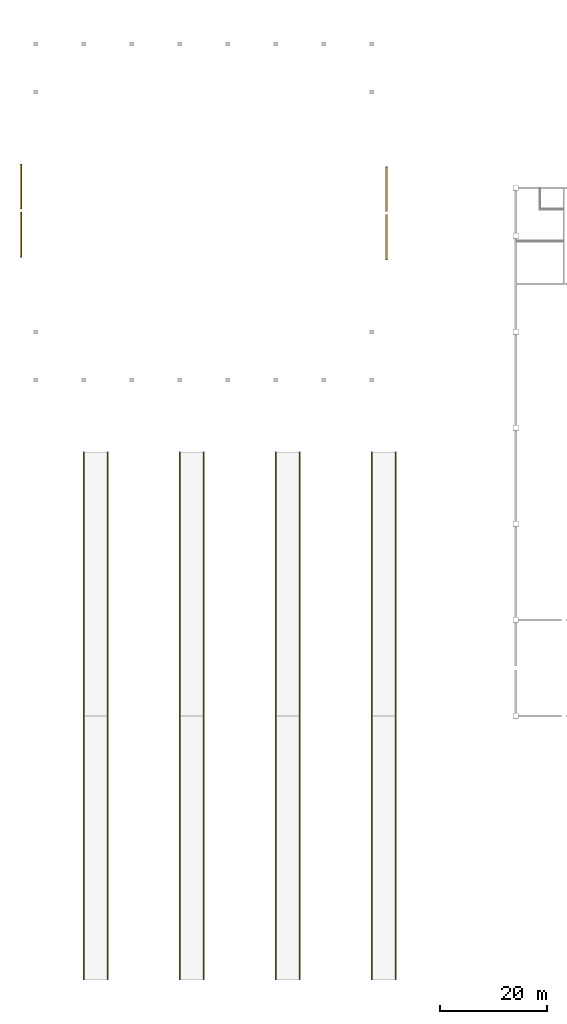
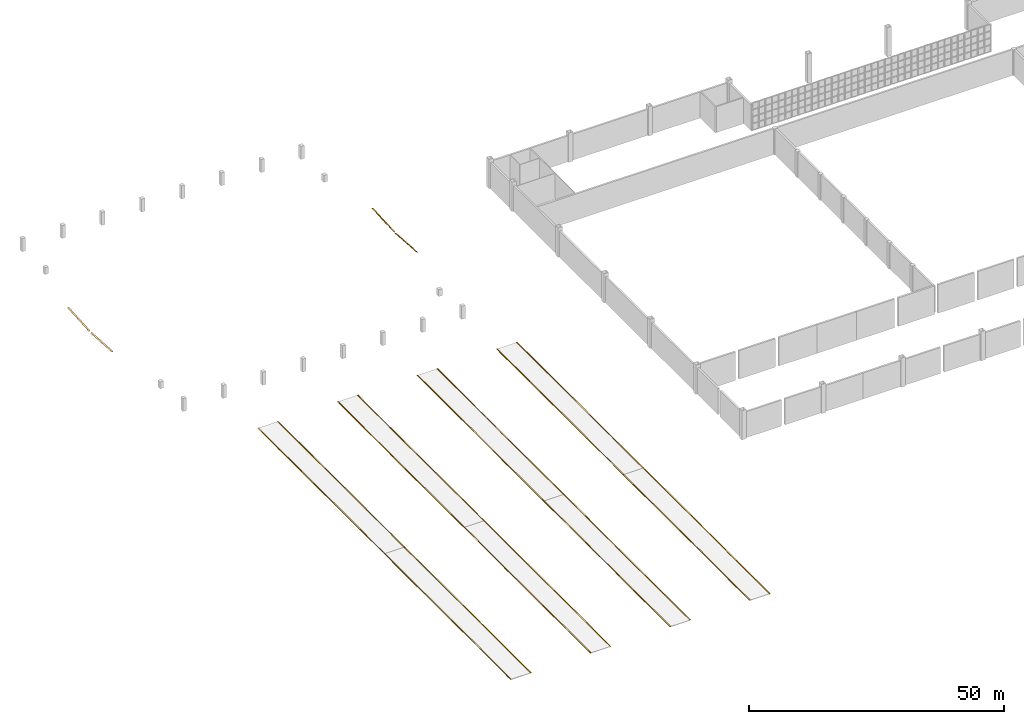
# One storey, part 82 of 85: 20 coverings.
"""IFC4 building model written with IfcOpenShell, lengths in metres."""

from ifc_helpers import new_model, si_unit, direction, frame, origin, origin_2d, place, context, subcontext, project, spatial, polyline, rectangle, outline, extrude, material, layer, layer_set, type_object, element, save


model = new_model("IFC4")

# Units and contexts
model_context = context("Model", 3, precision=1e-05, world=origin(), true_north=direction((0.0, 1.0)))
body_context = subcontext(model_context, "Body", "Model", "MODEL_VIEW")
ifc_project = project(units=[si_unit("LENGTHUNIT", "METRE"), si_unit("AREAUNIT", "SQUARE_METRE"), si_unit("VOLUMEUNIT", "CUBIC_METRE"), si_unit("PLANEANGLEUNIT", "RADIAN"), si_unit("MASSUNIT", "GRAM", prefix="KILO")], contexts=[model_context])

# Site, building, storey
site_placement = place(None, origin())
site = spatial("IfcSite", under=ifc_project, at=site_placement, CompositionType="ELEMENT")
building_placement = place(site_placement, origin())
building = spatial("IfcBuilding", under=site, at=building_placement, Name="Opaline Strait Convention Centre", CompositionType="ELEMENT")
storey_placement = place(building_placement, frame((0.0, 0.0, 17.0)))
storey = spatial("IfcBuildingStorey", under=building, at=storey_placement, Name="L03", CompositionType="ELEMENT", Elevation=17.0)

# Coverings
ifc_material_1 = material(Name="Aluminium alloy 6063", Category="aluminium")
ifc_layer_1 = layer(ifc_material_1, 0.030029296875)
ifc_layer_set_1 = layer_set([ifc_layer_1], Name="Aluminium alloy 6063")
covering_type_1 = type_object("IfcCoveringType", Name="Ridge cap 200x30 aluminium", PredefinedType="ROOFING", material=ifc_layer_set_1)
for number, where, z_axis, x_axis, name in (
    (1, (18.0, 29.25, 0.75), (0.0, 0.0, 1.0), (1.0, 0.0, 0.0), "RRC1 ridge cap seam 2"),
    (2, (18.0, 78.75, 0.75), (0.0, 0.0, 1.0), (1.0, 0.0, 0.0), "RRC1 ridge cap seam 2"),
    (3, (22.5, 29.25, 0.75), (0.0, 0.0, 1.0), (1.0, 0.0, 0.0), "RRC1 ridge cap seam 3"),
    (4, (22.5, 78.75, 0.75), (0.0, 0.0, 1.0), (1.0, 0.0, 0.0), "RRC1 ridge cap seam 3"),
    (5, (36.0, 29.25, 0.75), (0.0, 0.0, 1.0), (1.0, 0.0, 0.0), "RRC1 ridge cap seam 6"),
    (6, (36.0, 78.75, 0.75), (0.0, 0.0, 1.0), (1.0, 0.0, 0.0), "RRC1 ridge cap seam 6"),
    (7, (40.5, 29.25, 0.75), (0.0, 0.0, 1.0), (1.0, 0.0, 0.0), "RRC1 ridge cap seam 7"),
    (8, (40.5, 78.75, 0.75), (0.0, 0.0, 1.0), (1.0, 0.0, 0.0), "RRC1 ridge cap seam 7"),
    (9, (54.0, 29.25, 0.75), (0.0, 0.0, 1.0), (1.0, 0.0, 0.0), "RRC1 ridge cap seam 10"),
    (10, (54.0, 78.75, 0.75), (0.0, 0.0, 1.0), (1.0, 0.0, 0.0), "RRC1 ridge cap seam 10"),
    (11, (58.5, 29.25, 0.75), (0.0, 0.0, 1.0), (1.0, 0.0, 0.0), "RRC1 ridge cap seam 11"),
    (12, (58.5, 78.75, 0.75), (0.0, 0.0, 1.0), (1.0, 0.0, 0.0), "RRC1 ridge cap seam 11"),
    (13, (72.0, 29.25, 0.75), (0.0, 0.0, 1.0), (1.0, 0.0, 0.0), "RRC1 ridge cap seam 14"),
    (14, (72.0, 78.75, 0.75), (0.0, 0.0, 1.0), (1.0, 0.0, 0.0), "RRC1 ridge cap seam 14"),
    (15, (76.5, 29.25, 0.75), (0.0, 0.0, 1.0), (1.0, 0.0, 0.0), "RRC1 ridge cap seam 15"),
    (16, (76.5, 78.75, 0.75), (0.0, 0.0, 1.0), (1.0, 0.0, 0.0), "RRC1 ridge cap seam 15"),
):
    element("IfcCovering", number, at=place(storey_placement, frame(where, z_axis=z_axis, x_axis=x_axis)), inside=storey, type_object=covering_type_1, Name=name, PredefinedType="ROOFING", context=body_context, shape_type="SweptSolid", body=[
        extrude(rectangle(XDim=0.199951171875, YDim=49.5, at=origin_2d()), origin(), (0.0, 0.0, 1.0), 0.030029296875),
    ])
ifc_material_2 = material(Name="Standing seam aluminium edge flashing, white", Category="aluminium")
ifc_layer_2 = layer(ifc_material_2, 0.030029296875)
ifc_layer_set_2 = layer_set([ifc_layer_2], Name="Standing seam aluminium edge flashing, white")
covering_type_2 = type_object("IfcCoveringType", Name="Shell edge flashing 30", PredefinedType="ROOFING", material=ifc_layer_set_2)
covering_1_placement = place(storey_placement, frame((6.050048828125, 140.0, 0.915771484375), z_axis=(-0.397206166479, 0.058163990754, 0.915884387622), x_axis=(0.917437570864, 0.0, 0.397879760188)))
element("IfcCovering", 17, at=covering_1_placement, inside=storey, type_object=covering_type_2, Name="PEF1 edge flashing 7", PredefinedType="ROOFING", context=body_context, shape_type="SweptSolid", body=[
    extrude(outline(polyline([(0.0, 0.0), (0.32705094891894404, 0.0), (0.11354027682608062, 8.464280843534882), (-0.2135106720928634, 8.464280843534883), (0.0, 0.0)])), origin(), (0.0, 0.0, -1.0), 0.030029296875),
])
for number, where, z_axis, x_axis, name in (
    (18, (74.64990234375, 139.550048828125, 1.074462890625), (0.397206166479, 0.058163990754, 0.915884387622), (0.917437570864, 0.0, -0.397879760188), "PEF1 edge flashing 8"),
    (19, (6.050048828125, 149.0, 0.40771484375), (-0.397206166479, -0.058163990754, 0.915884387622), (0.917437570864, 0.0, 0.397879760188), "PEF1 edge flashing 9"),
):
    element("IfcCovering", number, at=place(storey_placement, frame(where, z_axis=z_axis, x_axis=x_axis)), inside=storey, type_object=covering_type_2, Name=name, PredefinedType="ROOFING", context=body_context, shape_type="SweptSolid", body=[
        extrude(outline(polyline([(0.0, 0.0), (0.32705094891894404, 0.0), (0.5405616210118074, 8.464280843534883), (0.2135106720928634, 8.464280843534883), (0.0, 0.0)])), origin(), (0.0, 0.0, -1.0), 0.030029296875),
    ])
covering_2_placement = place(storey_placement, frame((74.64990234375, 148.550048828125, 0.50927734375), z_axis=(0.397206166479, -0.058163990754, 0.915884387622), x_axis=(0.917437570864, 0.0, -0.397879760188)))
element("IfcCovering", 20, at=covering_2_placement, inside=storey, type_object=covering_type_2, Name="PEF1 edge flashing 10", PredefinedType="ROOFING", context=body_context, shape_type="SweptSolid", body=[
    extrude(outline(polyline([(0.0, 0.0), (0.32705094891894404, 0.0), (0.11354027682608062, 8.464280843534882), (-0.2135106720928634, 8.464280843534883), (0.0, 0.0)])), origin(), (0.0, 0.0, -1.0), 0.030029296875),
])

save(model, "model.ifc")
